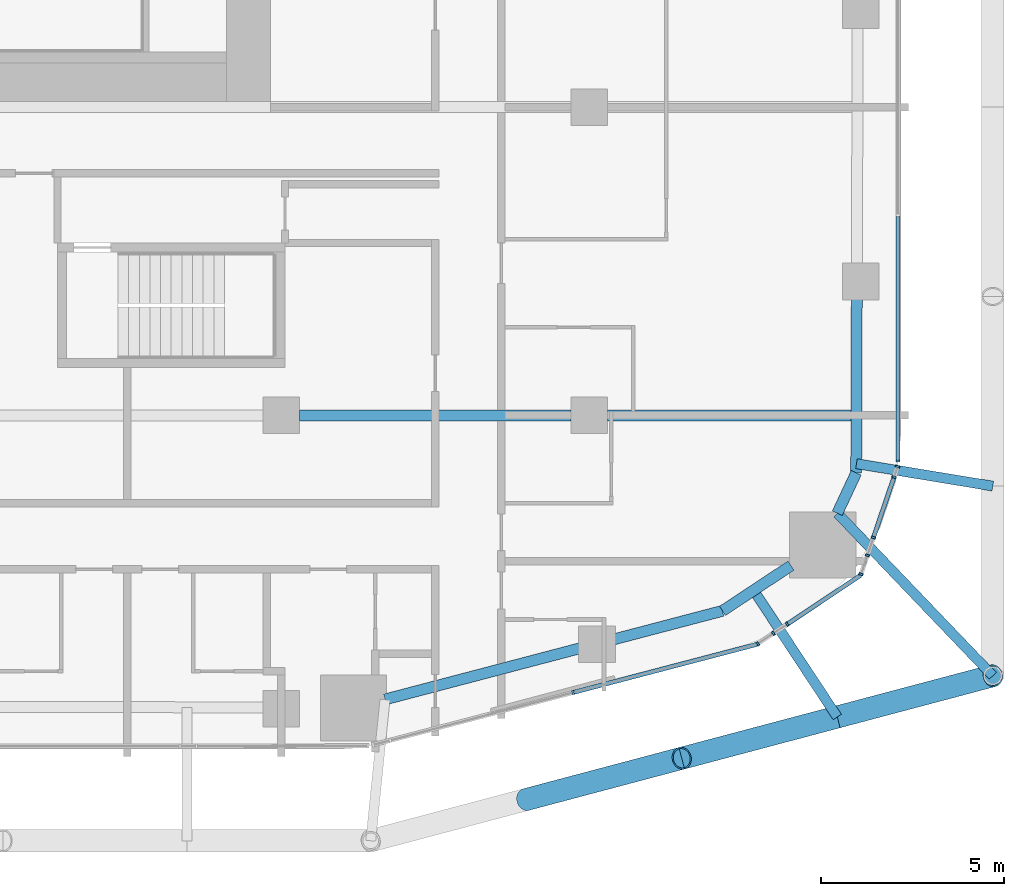
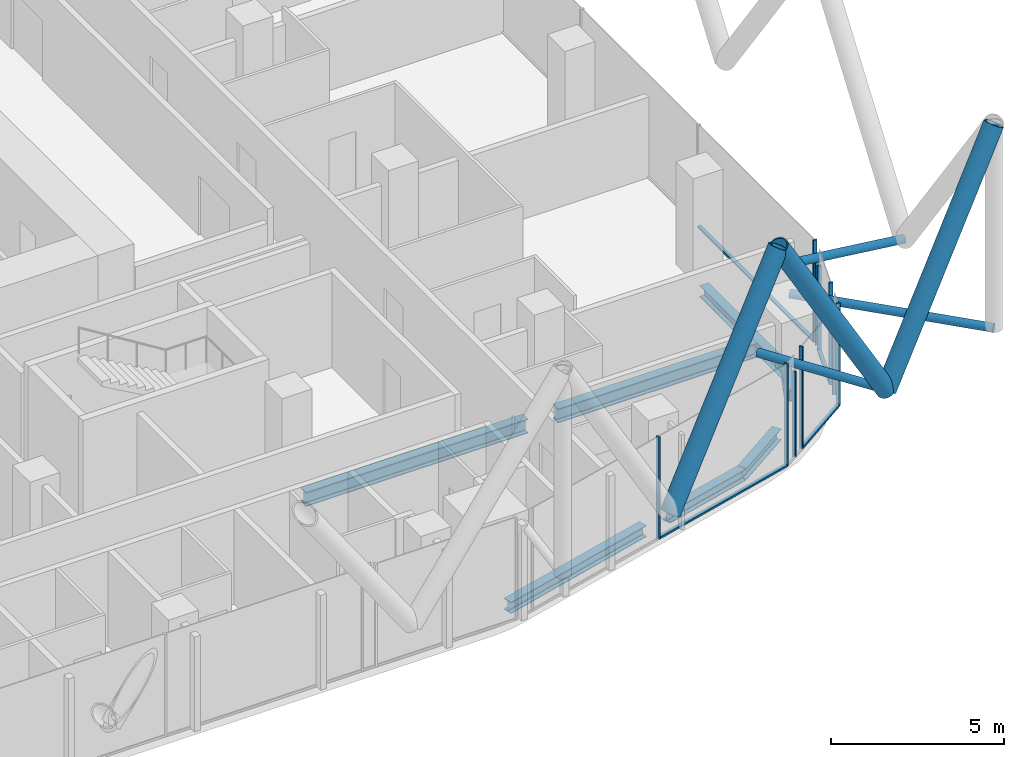
# One storey, part 6 of 38: 20 members, 7 beams, 9 elements without a shape of their own.
"""IFC4 building model written with IfcOpenShell, lengths in metres."""

from ifc_helpers import new_model, si_unit, direction, frame, origin, origin_2d, place, context, subcontext, project, spatial, rectangle, hollow_circle, i_section, extrude, material, layer, layer_set, material_profile, profile_set, type_object, element, aggregate, save


model = new_model("IFC4")

# Units and contexts
model_context = context("Model", 3, precision=1e-05, world=origin(), true_north=direction((0.0, 1.0)))
body_context = subcontext(model_context, "Body", "Model", "MODEL_VIEW")
ifc_project = project(units=[si_unit("LENGTHUNIT", "METRE"), si_unit("AREAUNIT", "SQUARE_METRE"), si_unit("VOLUMEUNIT", "CUBIC_METRE"), si_unit("PLANEANGLEUNIT", "RADIAN"), si_unit("MASSUNIT", "GRAM", prefix="KILO")], contexts=[model_context])

# Site, building, storey
site_placement = place(None, origin())
site = spatial("IfcSite", under=ifc_project, at=site_placement, CompositionType="ELEMENT")
building_placement = place(site_placement, origin())
building = spatial("IfcBuilding", under=site, at=building_placement, Name="Marenta Gate Hotel Tower", CompositionType="ELEMENT")
storey_placement = place(building_placement, frame((0.0, 0.0, 68.89990234375)))
storey = spatial("IfcBuildingStorey", under=building, at=storey_placement, Name="L15", CompositionType="ELEMENT", Elevation=68.89990234375)

# Members
ifc_material_1 = material(Name="Steel S355J2W", Category="steel")
ifc_material_profile_1 = material_profile(ifc_material_1, hollow_circle(Radius=0.304931640625, WallThickness=0.0400390625, at=origin_2d()), Name="CHS 610x40")
ifc_profile_set_1 = profile_set([ifc_material_profile_1], Name="Steel S355J2W")
member_type_1 = type_object("IfcMemberType", Name="Diagrid diagonal Z1 CHS 610x40", PredefinedType="BRACE", material=ifc_profile_set_1)
for number, where, z_axis, x_axis, name in (
    (1, (27.759765625, -16.625, 3.14013671875), (0.502925961678, 0.133405107407, 0.853972221087), (-0.256391194513, 0.966573098827, 0.0), "L15-DG-11"),
    (2, (27.759765625, -16.625, 3.14013671875), (-0.502924018666, -0.133433548941, 0.853968921838), (0.256443187528, -0.96655930577, 0.0), "L15-DG-12"),
    (3, (19.279296875, -18.875, 3.14013671875), (0.502924018666, 0.133433548941, 0.853968921838), (-0.256443187528, 0.96655930577, 0.0), "L15-DG-13"),
):
    element("IfcMember", number, at=place(storey_placement, frame(where, z_axis=z_axis, x_axis=x_axis)), inside=storey, type_object=member_type_1, Name=name, PredefinedType="BRACE", context=body_context, shape_type="SweptSolid", body=[
        extrude(hollow_circle(Radius=0.304931640625, WallThickness=0.0400390625, at=origin_2d()), origin(), (0.0, 0.0, 1.0), 8.43115234375),
    ])

# Beams
ifc_material_2 = material(Name="Steel S355", Category="steel")
ifc_material_profile_2 = material_profile(ifc_material_2, i_section(OverallWidth=0.300048828125, OverallDepth=0.39990234375, WebThickness=0.013427734375, FlangeThickness=0.02392578125, FilletRadius=0.027099609375, at=origin_2d()), Name="HEB 400")
ifc_profile_set_2 = profile_set([ifc_material_profile_2], Name="Steel S355")
beam_type_1 = type_object("IfcBeamType", Name="Edge beam HEB 400", PredefinedType="SPANDREL", material=ifc_profile_set_2)
beam_1_placement = place(storey_placement, frame((28.291015625, -5.2119140625, -0.4599609375), z_axis=(-0.003337079684, -0.999994431934, 0.0), x_axis=(0.999994431934, -0.003337079684, 0.0)))
element("IfcBeam", 4, at=beam_1_placement, inside=storey, type_object=beam_type_1, Name="L15-EB-27", PredefinedType="SPANDREL", context=body_context, shape_type="SweptSolid", body=[
    extrude(i_section(OverallWidth=0.300048828125, OverallDepth=0.39990234375, WebThickness=0.013427734375, FlangeThickness=0.02392578125, FilletRadius=0.027099609375, at=origin_2d()), origin(), (0.0, 0.0, 1.0), 4.75537109375),
])
beam_2_placement = place(storey_placement, frame((28.275146484375, -9.96728515625, -0.4599609375), z_axis=(-0.423291965192, -0.905993329006, 0.0), x_axis=(0.905993329006, -0.423291965192, 0.0)))
element("IfcBeam", 5, at=beam_2_placement, inside=storey, type_object=beam_type_1, Name="L15-EB-28", PredefinedType="SPANDREL", context=body_context, shape_type="SweptSolid", body=[
    extrude(i_section(OverallWidth=0.300048828125, OverallDepth=0.39990234375, WebThickness=0.013427734375, FlangeThickness=0.02392578125, FilletRadius=0.027099609375, at=origin_2d()), origin(), (0.0, 0.0, 1.0), 1.21630859375),
])
beam_3_placement = place(storey_placement, frame((26.496337890625, -12.498291015625, -0.4599609375), z_axis=(-0.834510054819, -0.550992711754, 0.0), x_axis=(0.550992711754, -0.834510054819, 0.0)))
element("IfcBeam", 6, at=beam_3_placement, inside=storey, type_object=beam_type_1, Name="L15-EB-29", PredefinedType="SPANDREL", context=body_context, shape_type="SweptSolid", body=[
    extrude(i_section(OverallWidth=0.300048828125, OverallDepth=0.39990234375, WebThickness=0.013427734375, FlangeThickness=0.02392578125, FilletRadius=0.027099609375, at=origin_2d()), origin(), (0.0, 0.0, 1.0), 2.237060546875),
])
beam_4_placement = place(storey_placement, frame((24.62939453125, -13.73095703125, -0.4599609375), z_axis=(-0.967228272573, -0.253908386501, 0.0), x_axis=(0.253908386501, -0.967228272573, 0.0)))
element("IfcBeam", 7, at=beam_4_placement, inside=storey, type_object=beam_type_1, Name="L15-EB-30", PredefinedType="SPANDREL", context=body_context, shape_type="SweptSolid", body=[
    extrude(i_section(OverallWidth=0.300048828125, OverallDepth=0.39990234375, WebThickness=0.013427734375, FlangeThickness=0.02392578125, FilletRadius=0.027099609375, at=origin_2d()), origin(), (0.0, 0.0, 1.0), 3.0615234375),
])
beam_5_placement = place(storey_placement, frame((20.74560546875, -14.75048828125, -0.4599609375), z_axis=(-0.967231374294, -0.253896570638, 0.0), x_axis=(0.253896570638, -0.967231374294, 0.0)))
element("IfcBeam", 8, at=beam_5_placement, inside=storey, type_object=beam_type_1, Name="L15-EB-31", PredefinedType="SPANDREL", context=body_context, shape_type="SweptSolid", body=[
    extrude(i_section(OverallWidth=0.300048828125, OverallDepth=0.39990234375, WebThickness=0.013427734375, FlangeThickness=0.02392578125, FilletRadius=0.027099609375, at=origin_2d()), origin(), (0.0, 0.0, 1.0), 5.498291015625),
])

# Members
ifc_material_3 = material(Name="Steel S355J2W", Category="steel")
ifc_material_profile_3 = material_profile(ifc_material_3, hollow_circle(Radius=0.136474609375, WallThickness=0.012451171875, at=origin_2d()), Name="CHS 273x12.5")
ifc_profile_set_3 = profile_set([ifc_material_profile_3], Name="Steel S355J2W")
member_type_2 = type_object("IfcMemberType", Name="Floor tie CHS 273x12.5", PredefinedType="STRUT", material=ifc_profile_set_3)
member_1_placement = place(storey_placement, frame((32.0, -10.330078125, 3.14013671875), z_axis=(-0.986724686623, 0.162401948291, 0.0), x_axis=(-0.162401948291, -0.986724686623, 0.0)))
element("IfcMember", 9, at=member_1_placement, inside=storey, type_object=member_type_2, Name="L15-DR-10", PredefinedType="STRUT", context=body_context, shape_type="SweptSolid", body=[
    extrude(hollow_circle(Radius=0.136474609375, WallThickness=0.012451171875, at=origin_2d()), origin(), (0.0, 0.0, 1.0), 3.767333984375),
])
member_2_placement = place(storey_placement, frame((32.0, -15.500244140625, 3.14013671875), z_axis=(-0.691351135911, 0.722518931845, 0.0), x_axis=(-0.722518931845, -0.691351135911, 0.0)))
element("IfcMember", 10, at=member_2_placement, inside=storey, type_object=member_type_2, Name="L15-DR-11", PredefinedType="STRUT", context=body_context, shape_type="SweptSolid", body=[
    extrude(hollow_circle(Radius=0.136474609375, WallThickness=0.012451171875, at=origin_2d()), origin(), (0.0, 0.0, 1.0), 6.12548828125),
])
member_3_placement = place(storey_placement, frame((27.759765625, -16.625, 3.14013671875), z_axis=(-0.550987031212, 0.83451380542, 0.0), x_axis=(-0.83451380542, -0.550987031212, 0.0)))
element("IfcMember", 11, at=member_3_placement, inside=storey, type_object=member_type_2, Name="L15-DR-12", PredefinedType="STRUT", context=body_context, shape_type="SweptSolid", body=[
    extrude(hollow_circle(Radius=0.136474609375, WallThickness=0.012451171875, at=origin_2d()), origin(), (0.0, 0.0, 1.0), 4.13330078125),
])

# Beams
ifc_material_4 = material(Name="Steel S355", Category="steel")
ifc_material_profile_4 = material_profile(ifc_material_4, i_section(OverallWidth=0.300048828125, OverallDepth=0.5, WebThickness=0.014404296875, FlangeThickness=0.028076171875, FilletRadius=0.027099609375, at=origin_2d()), Name="HEB 500")
ifc_profile_set_4 = profile_set([ifc_material_profile_4], Name="Steel S355")
beam_type_2 = type_object("IfcBeamType", Name="Girder HEB 500", PredefinedType="BEAM", material=ifc_profile_set_4)
beam_6_placement = place(storey_placement, frame((13.10009765625, -8.39990234375, -0.510009765625), z_axis=(1.0, 0.0, 0.0), x_axis=(0.0, 1.0, 0.0)))
element("IfcBeam", 12, at=beam_6_placement, inside=storey, type_object=beam_type_2, Name="L15-GD-6", PredefinedType="BEAM", context=body_context, shape_type="SweptSolid", body=[
    extrude(i_section(OverallWidth=0.300048828125, OverallDepth=0.5, WebThickness=0.014404296875, FlangeThickness=0.028076171875, FilletRadius=0.027099609375, at=origin_2d()), origin(), (0.0, 0.0, 1.0), 7.39990234375),
])
beam_7_placement = place(storey_placement, frame((21.5, -8.39990234375, -0.510009765625), z_axis=(1.0, 0.0, 0.0), x_axis=(0.0, 1.0, 0.0)))
element("IfcBeam", 13, at=beam_7_placement, inside=storey, type_object=beam_type_2, Name="L15-GD-7", PredefinedType="BEAM", context=body_context, shape_type="SweptSolid", body=[
    extrude(i_section(OverallWidth=0.300048828125, OverallDepth=0.5, WebThickness=0.014404296875, FlangeThickness=0.028076171875, FilletRadius=0.027099609375, at=origin_2d()), origin(), (0.0, 0.0, 1.0), 6.63037109375),
])

# Curtain wall, member
ifc_material_5 = material(Name="Tinted insulated glass in bronze anodised frame", Category="glass")
ifc_layer = layer(ifc_material_5, 0.1201171875)
ifc_layer_set = layer_set([ifc_layer], Name="Tinted insulated glass in bronze anodised frame")
curtain_wall_type = type_object("IfcCurtainWallType", Name="Tower unitised curtain wall CW1", PredefinedType="NOTDEFINED", material=ifc_layer_set)
curtain_wall_1_placement = place(storey_placement, origin())
curtain_wall_1 = element("IfcCurtainWall", 14, at=curtain_wall_1_placement, inside=storey, type_object=curtain_wall_type, Name="CW1 run G24", PredefinedType="NOTDEFINED")
ifc_material_6 = material(Name="Bronze anodised aluminium", Category="aluminium")
ifc_material_profile_5 = material_profile(ifc_material_6, rectangle(XDim=0.1201171875, YDim=0.06005859375, at=origin_2d()), Name="Mullion CW1 60x120 bronze anodised aluminium")
ifc_profile_set_5 = profile_set([ifc_material_profile_5], Name="Bronze anodised aluminium")
member_type_3 = type_object("IfcMemberType", Name="Mullion CW1 60x120 bronze anodised aluminium", PredefinedType="MULLION", material=ifc_profile_set_5)
member_4_placement = place(storey_placement, frame((20.5546875, -15.95654296875, 0.0), z_axis=(0.0, 0.0, 1.0), x_axis=(-0.253363691666, 0.967371097224, 0.0)))
member_4 = element("IfcMember", 15, at=member_4_placement, type_object=member_type_3, Name="CW1 mullion 2", PredefinedType="MULLION", context=body_context, shape_type="SweptSolid", body=[
    extrude(rectangle(XDim=0.1201171875, YDim=0.06005859375, at=origin_2d()), origin(), (0.0, 0.0, 1.0), 3.60009765625),
])

curtain_wall_2_placement = place(storey_placement, origin())
curtain_wall_2 = element("IfcCurtainWall", 16, at=curtain_wall_2_placement, inside=storey, type_object=curtain_wall_type, Name="CW1 run G25", PredefinedType="NOTDEFINED")
member_5_placement = place(storey_placement, frame((25.592529296875, -14.626953125, 0.0), z_axis=(0.0, 0.0, 1.0), x_axis=(-0.55406795082, 0.83247144448, 0.0)))
member_5 = element("IfcMember", 17, at=member_5_placement, type_object=member_type_3, Name="CW1 mullion 1", PredefinedType="MULLION", context=body_context, shape_type="SweptSolid", body=[
    extrude(rectangle(XDim=0.1201171875, YDim=0.06005859375, at=origin_2d()), origin(), (0.0, 0.0, 1.0), 3.60009765625),
])
aggregate(curtain_wall_2, [member_5])

curtain_wall_3_placement = place(storey_placement, origin())
curtain_wall_3 = element("IfcCurtainWall", 18, at=curtain_wall_3_placement, inside=storey, type_object=curtain_wall_type, Name="CW1 run G26", PredefinedType="NOTDEFINED")
member_6_placement = place(storey_placement, frame((26.01806640625, -14.34375, 0.0), z_axis=(0.0, 0.0, 1.0), x_axis=(-0.55393572557, 0.832559434477, 0.0)))
member_6 = element("IfcMember", 19, at=member_6_placement, type_object=member_type_3, Name="CW1 mullion 1", PredefinedType="MULLION", context=body_context, shape_type="SweptSolid", body=[
    extrude(rectangle(XDim=0.1201171875, YDim=0.06005859375, at=origin_2d()), origin(), (0.0, 0.0, 1.0), 3.00048828125),
])
aggregate(curtain_wall_3, [member_6])

curtain_wall_4_placement = place(storey_placement, origin())
curtain_wall_4 = element("IfcCurtainWall", 20, at=curtain_wall_4_placement, inside=storey, type_object=curtain_wall_type, Name="CW1 run G27", PredefinedType="NOTDEFINED")
member_7_placement = place(storey_placement, frame((26.395263671875, -14.0927734375, 0.0), z_axis=(0.0, 0.0, 1.0), x_axis=(-0.554045613941, 0.832486310802, 0.0)))
member_7 = element("IfcMember", 21, at=member_7_placement, type_object=member_type_3, Name="CW1 mullion 1", PredefinedType="MULLION", context=body_context, shape_type="SweptSolid", body=[
    extrude(rectangle(XDim=0.1201171875, YDim=0.06005859375, at=origin_2d()), origin(), (0.0, 0.0, 1.0), 3.60009765625),
])

curtain_wall_5_placement = place(storey_placement, origin())
curtain_wall_5 = element("IfcCurtainWall", 22, at=curtain_wall_5_placement, inside=storey, type_object=curtain_wall_type, Name="CW1 run G28", PredefinedType="NOTDEFINED")
member_8_placement = place(storey_placement, frame((28.405517578125, -12.73291015625, 0.0), z_axis=(0.0, 0.0, 1.0), x_axis=(-0.946722456746, 0.322050601446, 0.0)))
member_8 = element("IfcMember", 23, at=member_8_placement, type_object=member_type_3, Name="CW1 mullion 1", PredefinedType="MULLION", context=body_context, shape_type="SweptSolid", body=[
    extrude(rectangle(XDim=0.1201171875, YDim=0.06005859375, at=origin_2d()), origin(), (0.0, 0.0, 1.0), 3.60009765625),
])
aggregate(curtain_wall_5, [member_8])

curtain_wall_6_placement = place(storey_placement, origin())
curtain_wall_6 = element("IfcCurtainWall", 24, at=curtain_wall_6_placement, inside=storey, type_object=curtain_wall_type, Name="CW1 run G29", PredefinedType="NOTDEFINED")
member_9_placement = place(storey_placement, frame((28.5810546875, -12.216552734375, 0.0), z_axis=(0.0, 0.0, 1.0), x_axis=(-0.946746478316, 0.321979977321, 0.0)))
member_9 = element("IfcMember", 25, at=member_9_placement, type_object=member_type_3, Name="CW1 mullion 1", PredefinedType="MULLION", context=body_context, shape_type="SweptSolid", body=[
    extrude(rectangle(XDim=0.1201171875, YDim=0.06005859375, at=origin_2d()), origin(), (0.0, 0.0, 1.0), 3.00048828125),
])
aggregate(curtain_wall_6, [member_9])

curtain_wall_7_placement = place(storey_placement, origin())
curtain_wall_7 = element("IfcCurtainWall", 26, at=curtain_wall_7_placement, inside=storey, type_object=curtain_wall_type, Name="CW1 run G30", PredefinedType="NOTDEFINED")
member_10_placement = place(storey_placement, frame((28.74560546875, -11.733154296875, 0.0), z_axis=(0.0, 0.0, 1.0), x_axis=(-0.946728235546, 0.322033613183, 0.0)))
member_10 = element("IfcMember", 27, at=member_10_placement, type_object=member_type_3, Name="CW1 mullion 1", PredefinedType="MULLION", context=body_context, shape_type="SweptSolid", body=[
    extrude(rectangle(XDim=0.1201171875, YDim=0.06005859375, at=origin_2d()), origin(), (0.0, 0.0, 1.0), 3.60009765625),
])

# Curtain wall, members
curtain_wall_8_placement = place(storey_placement, origin())
curtain_wall_8 = element("IfcCurtainWall", 28, at=curtain_wall_8_placement, inside=storey, type_object=curtain_wall_type, Name="CW1 run G31", PredefinedType="NOTDEFINED")
member_11_placement = place(storey_placement, frame((29.3056640625, -10.086181640625, 0.0), z_axis=(0.0, 0.0, 1.0), x_axis=(-0.946726116827, 0.322039841818, 0.0)))
member_11 = element("IfcMember", 29, at=member_11_placement, type_object=member_type_3, Name="CW1 mullion 1", PredefinedType="MULLION", context=body_context, shape_type="SweptSolid", body=[
    extrude(rectangle(XDim=0.1201171875, YDim=0.06005859375, at=origin_2d()), origin(), (0.0, 0.0, 1.0), 3.00048828125),
])
member_12_placement = place(storey_placement, frame((29.404296875, -9.79638671875, 0.0), z_axis=(0.0, 0.0, 1.0), x_axis=(-0.946726116827, 0.322039841818, 0.0)))
member_12 = element("IfcMember", 30, at=member_12_placement, type_object=member_type_3, Name="CW1 mullion 2", PredefinedType="MULLION", context=body_context, shape_type="SweptSolid", body=[
    extrude(rectangle(XDim=0.1201171875, YDim=0.06005859375, at=origin_2d()), origin(), (0.0, 0.0, 1.0), 3.00048828125),
])
aggregate(curtain_wall_8, [member_11, member_12])

# Curtain wall, member
curtain_wall_9_placement = place(storey_placement, origin())
curtain_wall_9 = element("IfcCurtainWall", 31, at=curtain_wall_9_placement, inside=storey, type_object=curtain_wall_type, Name="CW1 run G32", PredefinedType="NOTDEFINED")
member_13_placement = place(storey_placement, frame((29.4140625, -9.64501953125, 0.0), z_axis=(0.0, 0.0, 1.0), x_axis=(-1.0, 0.0, 0.0)))
member_13 = element("IfcMember", 32, at=member_13_placement, type_object=member_type_3, Name="CW1 mullion 1", PredefinedType="MULLION", context=body_context, shape_type="SweptSolid", body=[
    extrude(rectangle(XDim=0.1201171875, YDim=0.06005859375, at=origin_2d()), origin(), (0.0, 0.0, 1.0), 3.60009765625),
])

# Member
ifc_material_7 = material(Name="Bronze anodised aluminium", Category="aluminium")
ifc_material_profile_6 = material_profile(ifc_material_7, rectangle(XDim=0.1201171875, YDim=0.06005859375, at=origin_2d()), Name="Transom CW1 60x120 bronze anodised aluminium")
ifc_profile_set_6 = profile_set([ifc_material_profile_6], Name="Bronze anodised aluminium")
member_type_4 = type_object("IfcMemberType", Name="Transom CW1 60x120 bronze anodised aluminium", PredefinedType="USERDEFINED", material=ifc_profile_set_6)
member_14_placement = place(storey_placement, frame((20.583740234375, -15.948974609375, 0.030029296875), z_axis=(0.967366692523, 0.253380508716, 0.0), x_axis=(-0.253380508716, 0.967366692523, 0.0)))
member_14 = element("IfcMember", 33, at=member_14_placement, type_object=member_type_4, Name="CW1 transom 2.1", ObjectType="TRANSOM", PredefinedType="USERDEFINED", context=body_context, shape_type="SweptSolid", body=[
    extrude(rectangle(XDim=0.1201171875, YDim=0.06005859375, at=origin_2d()), origin(), (0.0, 0.0, 1.0), 5.152099609375),
])

aggregate(curtain_wall_1, [member_4, member_14])

member_15_placement = place(storey_placement, frame((26.420166015625, -14.076171875, 0.030029296875), z_axis=(0.832509014786, 0.554011498347, 0.0), x_axis=(-0.554011498347, 0.832509014786, 0.0)))
member_15 = element("IfcMember", 34, at=member_15_placement, type_object=member_type_4, Name="CW1 transom 1.1", ObjectType="TRANSOM", PredefinedType="USERDEFINED", context=body_context, shape_type="SweptSolid", body=[
    extrude(rectangle(XDim=0.1201171875, YDim=0.06005859375, at=origin_2d()), origin(), (0.0, 0.0, 1.0), 2.373046875),
])

aggregate(curtain_wall_4, [member_7, member_15])

member_16_placement = place(storey_placement, frame((28.755126953125, -11.70458984375, 0.030029296875), z_axis=(0.322108589973, 0.946702728562, 0.0), x_axis=(-0.946702728562, 0.322108589973, 0.0)))
member_16 = element("IfcMember", 35, at=member_16_placement, type_object=member_type_4, Name="CW1 transom 1.1", ObjectType="TRANSOM", PredefinedType="USERDEFINED", context=body_context, shape_type="SweptSolid", body=[
    extrude(rectangle(XDim=0.1201171875, YDim=0.06005859375, at=origin_2d()), origin(), (0.0, 0.0, 1.0), 1.6796875),
])

aggregate(curtain_wall_7, [member_10, member_16])

member_17_placement = place(storey_placement, frame((29.4140625, -9.614990234375, 0.030029296875), z_axis=(0.0, 1.0, 0.0), x_axis=(-1.0, 0.0, 0.0)))
member_17 = element("IfcMember", 36, at=member_17_placement, type_object=member_type_4, Name="CW1 transom 1.1", ObjectType="TRANSOM", PredefinedType="USERDEFINED", context=body_context, shape_type="SweptSolid", body=[
    extrude(rectangle(XDim=0.1201171875, YDim=0.06005859375, at=origin_2d()), origin(), (0.0, 0.0, 1.0), 6.640625),
])

aggregate(curtain_wall_9, [member_13, member_17])

save(model, "model.ifc")
